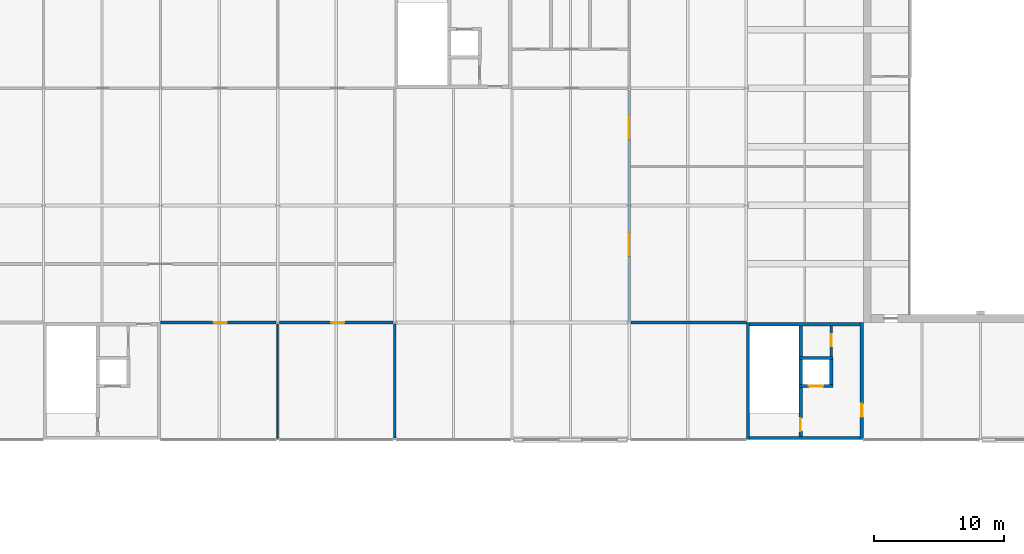
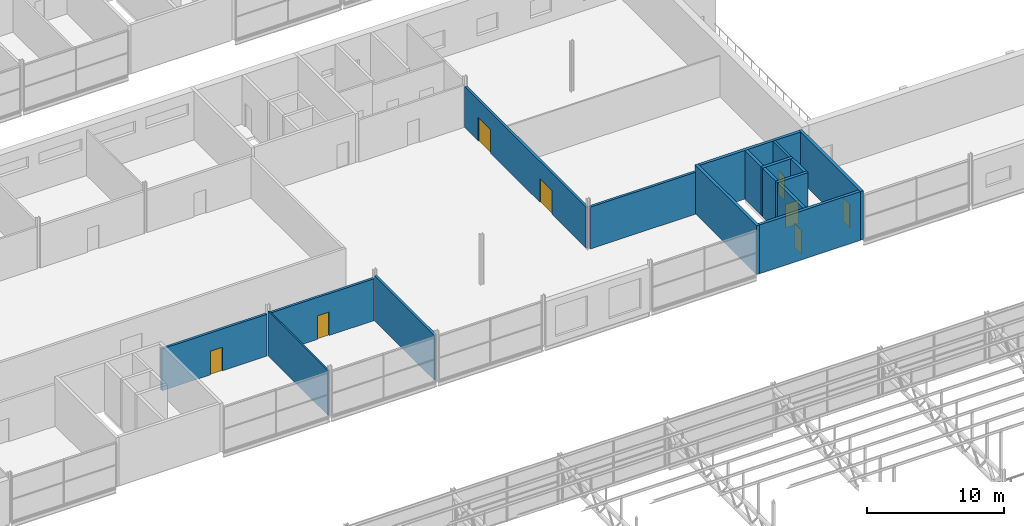
# One storey, part 117 of 138: 15 walls, 8 doors, 8 openings.
"""IFC4 building model written with IfcOpenShell, lengths in metres."""

from ifc_helpers import new_model, si_unit, direction, frame, frame_2d, origin, place, context, subcontext, project, spatial, rectangle, extrude, material, layer, layer_set, type_object, element, fill, save


model = new_model("IFC4")

# Units and contexts
model_context = context("Model", 3, precision=1e-05, world=origin(), true_north=direction((0.0, 1.0)))
body_context = subcontext(model_context, "Body", "Model", "MODEL_VIEW")
ifc_project = project(units=[si_unit("LENGTHUNIT", "METRE"), si_unit("AREAUNIT", "SQUARE_METRE"), si_unit("VOLUMEUNIT", "CUBIC_METRE"), si_unit("PLANEANGLEUNIT", "RADIAN"), si_unit("MASSUNIT", "GRAM", prefix="KILO")], contexts=[model_context])

# Site, building, storey
site_placement = place(None, origin())
site = spatial("IfcSite", under=ifc_project, at=site_placement, CompositionType="ELEMENT")
building_placement = place(site_placement, origin())
building = spatial("IfcBuilding", under=site, at=building_placement, Name="Corbel Yard City Hall", CompositionType="ELEMENT")
storey_placement = place(building_placement, frame((0.0, 0.0, 10.5)))
storey = spatial("IfcBuildingStorey", under=building, at=storey_placement, Name="L02", CompositionType="ELEMENT", Elevation=10.5)

# Wall
ifc_material_1 = material(Name="Concrete N50 (50 MPa)", Category="concrete")
ifc_layer_1 = layer(ifc_material_1, 0.25)
ifc_layer_set_1 = layer_set([ifc_layer_1], Name="Concrete N50 (50 MPa)")
wall_type_1 = type_object("IfcWallType", Name="Core cell wall 250", PredefinedType="SHEAR", material=ifc_layer_set_1)
wall_1_placement = place(storey_placement, frame((108.125, 45.0, 0.0), z_axis=(0.0, 0.0, 1.0), x_axis=(0.0, 1.0, 0.0)))
element("IfcWall", 1, at=wall_1_placement, inside=storey, type_object=wall_type_1, Name="Core PC-M3 west wall", PredefinedType="SHEAR", context=body_context, shape_type="SweptSolid", body=[
    extrude(rectangle(XDim=9.0, YDim=0.25, at=frame_2d((4.5, 0.0))), origin(), (0.0, 0.0, 1.0), 4.35009765625),
])

# Wall, opening, door
wall_2_placement = place(storey_placement, frame((116.875, 45.0, 0.0), z_axis=(0.0, 0.0, 1.0), x_axis=(0.0, 1.0, 0.0)))
wall_2 = element("IfcWall", 2, at=wall_2_placement, inside=storey, type_object=wall_type_1, Name="Core PC-M3 east wall", PredefinedType="SHEAR", context=body_context, shape_type="SweptSolid", body=[
    extrude(rectangle(XDim=9.0, YDim=0.25, at=frame_2d((4.5, 0.0))), origin(), (0.0, 0.0, 1.0), 4.35009765625),
])
opening_1_placement = place(wall_2_placement, frame((1.75, 0.0, 0.0)))
opening_1 = element("IfcOpeningElement", 3, at=opening_1_placement, cuts=wall_2, Name="Opening L02-085", PredefinedType="OPENING", context=body_context, shape_type="SweptSolid", body=[
    extrude(rectangle(XDim=1.0, YDim=2.10009765625, at=frame_2d((0.5, 1.050048828125))), frame((0.0, 0.135009765625, 0.0), z_axis=(0.0, -1.0, 0.0), x_axis=(1.0, 0.0, 0.0)), (0.0, 0.0, 1.0), 0.27001953125),
])
ifc_material_2 = material(Name="Steel Grade G250", Category="steel")
door_type_1 = type_object("IfcDoorType", Name="FS1", OperationType="SINGLE_SWING_LEFT", PredefinedType="DOOR", material=ifc_material_2)
door_1_placement = place(opening_1_placement, origin())
door_1 = element("IfcDoor", 4, at=door_1_placement, inside=storey, type_object=door_type_1, Name="Door Lift Lobby", OperationType="SINGLE_SWING_LEFT", OverallHeight=2.10009765625, OverallWidth=1.0, PredefinedType="DOOR", context=body_context, shape_type="SweptSolid", body=[
    extrude(rectangle(XDim=1.0, YDim=2.10009765625, at=frame_2d((0.5, 1.050048828125))), frame((0.0, 0.02490234375, 0.0), z_axis=(0.0, -1.0, 0.0), x_axis=(1.0, 0.0, 0.0)), (0.0, 0.0, 1.0), 0.050048828125),
])
fill(opening_1, door_1)

# Walls
for number, where, z_axis, x_axis, name in (
    (5, (108.25, 45.125, 0.0), (0.0, 0.0, 1.0), (1.0, 0.0, 0.0), "Core PC-M3 south wall"),
    (6, (108.25, 53.875, 0.0), (0.0, 0.0, 1.0), (1.0, 0.0, 0.0), "Core PC-M3 north wall"),
):
    element("IfcWall", number, at=place(storey_placement, frame(where, z_axis=z_axis, x_axis=x_axis)), inside=storey, type_object=wall_type_1, Name=name, PredefinedType="SHEAR", context=body_context, shape_type="SweptSolid", body=[
        extrude(rectangle(XDim=8.5, YDim=0.25, at=frame_2d((4.25, 0.0))), origin(), (0.0, 0.0, 1.0), 4.35009765625),
    ])

# Wall, opening, door
ifc_material_3 = material(Name="Concrete N40 (40 MPa)", Category="concrete")
ifc_layer_2 = layer(ifc_material_3, 0.25)
ifc_layer_set_2 = layer_set([ifc_layer_2], Name="Concrete N40 (40 MPa)")
wall_type_2 = type_object("IfcWallType", Name="IW2", PredefinedType="SOLIDWALL", material=ifc_layer_set_2)
wall_3_placement = place(storey_placement, frame((112.175048828125, 45.25, 0.0), z_axis=(0.0, 0.0, 1.0), x_axis=(0.0, 1.0, 0.0)))
wall_3 = element("IfcWall", 7, at=wall_3_placement, inside=storey, type_object=wall_type_2, Name="Stair enclosure wall", PredefinedType="SOLIDWALL", context=body_context, shape_type="SweptSolid", body=[
    extrude(rectangle(XDim=8.5, YDim=0.25, at=frame_2d((4.25, 0.0))), origin(), (0.0, 0.0, 1.0), 4.35009765625),
])
opening_2_placement = place(wall_3_placement, frame((0.39990234375, 0.0, 0.0)))
opening_2 = element("IfcOpeningElement", 8, at=opening_2_placement, cuts=wall_3, Name="Opening L02-084", PredefinedType="OPENING", context=body_context, shape_type="SweptSolid", body=[
    extrude(rectangle(XDim=1.0, YDim=2.10009765625, at=frame_2d((0.5, 1.050048828125))), frame((0.0, 0.135009765625, 0.0), z_axis=(0.0, -1.0, 0.0), x_axis=(1.0, 0.0, 0.0)), (0.0, 0.0, 1.0), 0.27001953125),
])
door_2_placement = place(opening_2_placement, origin())
door_2 = element("IfcDoor", 9, at=door_2_placement, inside=storey, type_object=door_type_1, Name="Door Exit Stair 10", OperationType="SINGLE_SWING_LEFT", OverallHeight=2.10009765625, OverallWidth=1.0, PredefinedType="DOOR", context=body_context, shape_type="SweptSolid", body=[
    extrude(rectangle(XDim=1.0, YDim=2.10009765625, at=frame_2d((0.5, 1.050048828125))), frame((0.0, 0.02490234375, 0.0), z_axis=(0.0, -1.0, 0.0), x_axis=(1.0, 0.0, 0.0)), (0.0, 0.0, 1.0), 0.050048828125),
])
fill(opening_2, door_2)

wall_4_placement = place(storey_placement, frame((112.050048828125, 49.125, 0.0), z_axis=(0.0, 0.0, 1.0), x_axis=(1.0, 0.0, 0.0)))
wall_4 = element("IfcWall", 10, at=wall_4_placement, inside=storey, type_object=wall_type_2, Name="Lift LP10 shaft wall", PredefinedType="SOLIDWALL", context=body_context, shape_type="SweptSolid", body=[
    extrude(rectangle(XDim=2.599853515625, YDim=0.25, at=frame_2d((1.2998046875, 0.0))), origin(), (0.0, 0.0, 1.0), 4.35009765625),
])
opening_3_placement = place(wall_4_placement, frame((0.75, 0.0, 0.0)))
opening_3 = element("IfcOpeningElement", 11, at=opening_3_placement, cuts=wall_4, Name="Opening L02-050", PredefinedType="OPENING", context=body_context, shape_type="SweptSolid", body=[
    extrude(rectangle(XDim=1.10009765625, YDim=2.10009765625, at=frame_2d((0.550048828125, 1.050048828125))), frame((0.0, 0.135009765625, 0.0), z_axis=(0.0, -1.0, 0.0), x_axis=(1.0, 0.0, 0.0)), (0.0, 0.0, 1.0), 0.27001953125),
])
ifc_material_4 = material(Name="Stainless steel Grade 316", Category="steel")
door_type_2 = type_object("IfcDoorType", Name="LD1", OperationType="DOUBLE_DOOR_SLIDING", PredefinedType="DOOR", material=ifc_material_4)
door_3_placement = place(opening_3_placement, origin())
door_3 = element("IfcDoor", 12, at=door_3_placement, inside=storey, type_object=door_type_2, Name="Lift LP10 landing door", OperationType="DOUBLE_DOOR_SLIDING", OverallHeight=2.10009765625, OverallWidth=1.10009765625, PredefinedType="DOOR", context=body_context, shape_type="SweptSolid", body=[
    extrude(rectangle(XDim=1.10009765625, YDim=2.10009765625, at=frame_2d((0.550048828125, 1.050048828125))), frame((0.0, 0.02490234375, 0.0), z_axis=(0.0, -1.0, 0.0), x_axis=(1.0, 0.0, 0.0)), (0.0, 0.0, 1.0), 0.050048828125),
])
fill(opening_3, door_3)

# Walls
wall_5_placement = place(storey_placement, frame((112.050048828125, 51.27490234375, 0.0), z_axis=(0.0, 0.0, 1.0), x_axis=(1.0, 0.0, 0.0)))
element("IfcWall", 13, at=wall_5_placement, inside=storey, type_object=wall_type_2, Name="Lift LP10 shaft wall", PredefinedType="SOLIDWALL", context=body_context, shape_type="SweptSolid", body=[
    extrude(rectangle(XDim=2.599853515625, YDim=0.25, at=frame_2d((1.2998046875, 0.0))), origin(), (0.0, 0.0, 1.0), 4.35009765625),
])
wall_6_placement = place(storey_placement, frame((114.52490234375, 49.25, 0.0), z_axis=(0.0, 0.0, 1.0), x_axis=(0.0, 1.0, 0.0)))
element("IfcWall", 14, at=wall_6_placement, inside=storey, type_object=wall_type_2, Name="Lift LP10 shaft wall", PredefinedType="SOLIDWALL", context=body_context, shape_type="SweptSolid", body=[
    extrude(rectangle(XDim=1.89990234375, YDim=0.25, at=frame_2d((0.949951171875, 0.0))), origin(), (0.0, 0.0, 1.0), 4.35009765625),
])
ifc_material_5 = material(Name="Gypsum plasterboard", Category="gypsum")
ifc_layer_3 = layer(ifc_material_5, 0.028076171875)
ifc_material_6 = material(Name="Steel Grade G550 (550 MPa yield)", Category="steel")
ifc_layer_4 = layer(ifc_material_6, 0.06396484375)
ifc_layer_5 = layer(ifc_material_5, 0.028076171875)
ifc_layer_set_3 = layer_set([ifc_layer_3, ifc_layer_4, ifc_layer_5], Name="Steel Grade G550 (550 MPa yield)")
wall_type_3 = type_object("IfcWallType", Name="PT1", PredefinedType="PARTITIONING", material=ifc_layer_set_3)
wall_7_placement = place(storey_placement, frame((72.0, 45.126953125, 0.0), z_axis=(0.0, 0.0, 1.0), x_axis=(0.0, 1.0, 0.0)))
element("IfcWall", 15, at=wall_7_placement, inside=storey, type_object=wall_type_3, Name="Partition", PredefinedType="PARTITIONING", context=body_context, shape_type="SweptSolid", body=[
    extrude(rectangle(XDim=8.7431640625, YDim=0.1201171875, at=frame_2d((4.37158203125, 0.0))), origin(), (0.0, 0.0, 1.0), 3.998046875),
])

# Wall, opening, door
ifc_layer_6 = layer(ifc_material_5, 0.031982421875)
ifc_layer_7 = layer(ifc_material_6, 0.135986328125)
ifc_layer_8 = layer(ifc_material_5, 0.031982421875)
ifc_layer_set_4 = layer_set([ifc_layer_6, ifc_layer_7, ifc_layer_8], Name="Steel Grade G550 (550 MPa yield)")
wall_type_4 = type_object("IfcWallType", Name="PT2", PredefinedType="PARTITIONING", material=ifc_layer_set_4)
wall_8_placement = place(storey_placement, frame((63.0, 54.0, 0.0), z_axis=(0.0, 0.0, 1.0), x_axis=(1.0, 0.0, 0.0)))
wall_8 = element("IfcWall", 16, at=wall_8_placement, inside=storey, type_object=wall_type_4, Name="Acoustic wall", PredefinedType="PARTITIONING", context=body_context, shape_type="SweptSolid", body=[
    extrude(rectangle(XDim=8.8701171875, YDim=0.199951171875, at=frame_2d((4.43505859375, 0.0))), origin(), (0.0, 0.0, 1.0), 3.738037109375),
])
opening_4_placement = place(wall_8_placement, frame((4.10009765625, 0.0, 0.0)))
opening_4 = element("IfcOpeningElement", 17, at=opening_4_placement, cuts=wall_8, Name="Opening L02-075", PredefinedType="OPENING", context=body_context, shape_type="SweptSolid", body=[
    extrude(rectangle(XDim=1.0, YDim=2.10009765625, at=frame_2d((0.5, 1.050048828125))), frame((0.0, 0.10986328125, 0.0), z_axis=(0.0, -1.0, 0.0), x_axis=(1.0, 0.0, 0.0)), (0.0, 0.0, 1.0), 0.219970703125),
])
ifc_material_7 = material(Name="Timber", Category="wood")
door_type_3 = type_object("IfcDoorType", Name="D1", OperationType="SINGLE_SWING_LEFT", PredefinedType="DOOR", material=ifc_material_7)
door_4_placement = place(opening_4_placement, frame((1.0, 0.0, 0.0), z_axis=(0.0, 0.0, 1.0), x_axis=(-1.0, 0.0, 0.0)))
door_4 = element("IfcDoor", 18, at=door_4_placement, inside=storey, type_object=door_type_3, Name="Door Quiet Study Room 1", OperationType="SINGLE_SWING_LEFT", OverallHeight=2.10009765625, OverallWidth=1.0, PredefinedType="DOOR", context=body_context, shape_type="SweptSolid", body=[
    extrude(rectangle(XDim=1.0, YDim=2.10009765625, at=frame_2d((0.5, 1.050048828125))), frame((0.0, 0.02490234375, 0.0), z_axis=(0.0, -1.0, 0.0), x_axis=(1.0, 0.0, 0.0)), (0.0, 0.0, 1.0), 0.050048828125),
])
fill(opening_4, door_4)

wall_9_placement = place(storey_placement, frame((72.1298828125, 54.0, 0.0), z_axis=(0.0, 0.0, 1.0), x_axis=(1.0, 0.0, 0.0)))
wall_9 = element("IfcWall", 19, at=wall_9_placement, inside=storey, type_object=wall_type_4, Name="Acoustic wall", PredefinedType="PARTITIONING", context=body_context, shape_type="SweptSolid", body=[
    extrude(rectangle(XDim=8.740234375, YDim=0.199951171875, at=frame_2d((4.3701171875, 0.0))), origin(), (0.0, 0.0, 1.0), 3.738037109375),
])
opening_5_placement = place(wall_9_placement, frame((3.969970703125, 0.0, 0.0)))
opening_5 = element("IfcOpeningElement", 20, at=opening_5_placement, cuts=wall_9, Name="Opening L02-076", PredefinedType="OPENING", context=body_context, shape_type="SweptSolid", body=[
    extrude(rectangle(XDim=1.0, YDim=2.10009765625, at=frame_2d((0.5, 1.050048828125))), frame((0.0, 0.10986328125, 0.0), z_axis=(0.0, -1.0, 0.0), x_axis=(1.0, 0.0, 0.0)), (0.0, 0.0, 1.0), 0.219970703125),
])
door_5_placement = place(opening_5_placement, frame((1.0, 0.0, 0.0), z_axis=(0.0, 0.0, 1.0), x_axis=(-1.0, 0.0, 0.0)))
door_5 = element("IfcDoor", 21, at=door_5_placement, inside=storey, type_object=door_type_3, Name="Door Quiet Study Room 2", OperationType="SINGLE_SWING_LEFT", OverallHeight=2.10009765625, OverallWidth=1.0, PredefinedType="DOOR", context=body_context, shape_type="SweptSolid", body=[
    extrude(rectangle(XDim=1.0, YDim=2.10009765625, at=frame_2d((0.5, 1.050048828125))), frame((0.0, 0.02490234375, 0.0), z_axis=(0.0, -1.0, 0.0), x_axis=(1.0, 0.0, 0.0)), (0.0, 0.0, 1.0), 0.050048828125),
])
fill(opening_5, door_5)

# Walls
wall_10_placement = place(storey_placement, frame((99.1298828125, 54.0, 0.0), z_axis=(0.0, 0.0, 1.0), x_axis=(1.0, 0.0, 0.0)))
element("IfcWall", 22, at=wall_10_placement, inside=storey, type_object=wall_type_4, Name="Acoustic wall", PredefinedType="PARTITIONING", context=body_context, shape_type="SweptSolid", body=[
    extrude(rectangle(XDim=8.8701171875, YDim=0.199951171875, at=frame_2d((4.43505859375, 0.0))), origin(), (0.0, 0.0, 1.0), 3.738037109375),
])
wall_11_placement = place(storey_placement, frame((81.0, 45.126953125, 0.0), z_axis=(0.0, 0.0, 1.0), x_axis=(0.0, 1.0, 0.0)))
element("IfcWall", 23, at=wall_11_placement, inside=storey, type_object=wall_type_4, Name="Acoustic wall", PredefinedType="PARTITIONING", context=body_context, shape_type="SweptSolid", body=[
    extrude(rectangle(XDim=8.7431640625, YDim=0.199951171875, at=frame_2d((4.37158203125, 0.0))), origin(), (0.0, 0.0, 1.0), 3.998046875),
])

# Wall, openings, doors
wall_12_placement = place(storey_placement, frame((99.0, 54.1298828125, 0.0), z_axis=(0.0, 0.0, 1.0), x_axis=(0.0, 1.0, 0.0)))
wall_12 = element("IfcWall", 24, at=wall_12_placement, inside=storey, type_object=wall_type_4, Name="Acoustic wall", PredefinedType="PARTITIONING", context=body_context, shape_type="SweptSolid", body=[
    extrude(rectangle(XDim=17.740234375, YDim=0.199951171875, at=frame_2d((8.8701171875, 0.0))), origin(), (0.0, 0.0, 1.0), 3.64990234375),
])
opening_6_placement = place(wall_12_placement, frame((4.969970703125, 0.0, 0.0)))
opening_6 = element("IfcOpeningElement", 25, at=opening_6_placement, cuts=wall_12, Name="Opening L02-090", PredefinedType="OPENING", context=body_context, shape_type="SweptSolid", body=[
    extrude(rectangle(XDim=1.800048828125, YDim=2.10009765625, at=frame_2d((0.89990234375, 1.050048828125))), frame((0.0, 0.10986328125, 0.0), z_axis=(0.0, -1.0, 0.0), x_axis=(1.0, 0.0, 0.0)), (0.0, 0.0, 1.0), 0.219970703125),
])
opening_7_placement = place(wall_12_placement, frame((13.969970703125, 0.0, 0.0)))
opening_7 = element("IfcOpeningElement", 26, at=opening_7_placement, cuts=wall_12, Name="Opening L02-091", PredefinedType="OPENING", context=body_context, shape_type="SweptSolid", body=[
    extrude(rectangle(XDim=1.800048828125, YDim=2.10009765625, at=frame_2d((0.89990234375, 1.050048828125))), frame((0.0, 0.10986328125, 0.0), z_axis=(0.0, -1.0, 0.0), x_axis=(1.0, 0.0, 0.0)), (0.0, 0.0, 1.0), 0.219970703125),
])
door_type_4 = type_object("IfcDoorType", Name="D3", OperationType="DOUBLE_DOOR_SINGLE_SWING", PredefinedType="DOOR", material=ifc_material_7)
door_6_placement = place(opening_6_placement, origin())
door_6 = element("IfcDoor", 27, at=door_6_placement, inside=storey, type_object=door_type_4, Name="Door Lord Mayor's Lounge", OperationType="DOUBLE_DOOR_SINGLE_SWING", OverallHeight=2.10009765625, OverallWidth=1.800048828125, PredefinedType="DOOR", context=body_context, shape_type="SweptSolid", body=[
    extrude(rectangle(XDim=1.800048828125, YDim=2.10009765625, at=frame_2d((0.89990234375, 1.050048828125))), frame((0.0, 0.02490234375, 0.0), z_axis=(0.0, -1.0, 0.0), x_axis=(1.0, 0.0, 0.0)), (0.0, 0.0, 1.0), 0.050048828125),
])
fill(opening_6, door_6)
door_7_placement = place(opening_7_placement, origin())
door_7 = element("IfcDoor", 28, at=door_7_placement, inside=storey, type_object=door_type_4, Name="Door Function Room", OperationType="DOUBLE_DOOR_SINGLE_SWING", OverallHeight=2.10009765625, OverallWidth=1.800048828125, PredefinedType="DOOR", context=body_context, shape_type="SweptSolid", body=[
    extrude(rectangle(XDim=1.800048828125, YDim=2.10009765625, at=frame_2d((0.89990234375, 1.050048828125))), frame((0.0, 0.02490234375, 0.0), z_axis=(0.0, -1.0, 0.0), x_axis=(1.0, 0.0, 0.0)), (0.0, 0.0, 1.0), 0.050048828125),
])
fill(opening_7, door_7)

# Wall, opening, door
ifc_material_8 = material(Name="Concrete block", Category="concrete")
ifc_layer_9 = layer(ifc_material_8, 0.18994140625)
ifc_layer_set_5 = layer_set([ifc_layer_9], Name="Concrete block")
wall_type_5 = type_object("IfcWallType", Name="PT4", PredefinedType="PARTITIONING", material=ifc_layer_set_5)
wall_13_placement = place(storey_placement, frame((114.52490234375, 51.39990234375, 0.0), z_axis=(0.0, 0.0, 1.0), x_axis=(0.0, 1.0, 0.0)))
wall_13 = element("IfcWall", 29, at=wall_13_placement, inside=storey, type_object=wall_type_5, Name="Fire-resisting block wall", PredefinedType="PARTITIONING", context=body_context, shape_type="SweptSolid", body=[
    extrude(rectangle(XDim=2.35009765625, YDim=0.18994140625, at=frame_2d((1.175048828125, 0.0))), origin(), (0.0, 0.0, 1.0), 4.35009765625),
])
opening_8_placement = place(wall_13_placement, frame((0.777587890625, 0.0, 0.0)))
opening_8 = element("IfcOpeningElement", 30, at=opening_8_placement, cuts=wall_13, Name="Opening L02-086", PredefinedType="OPENING", context=body_context, shape_type="SweptSolid", body=[
    extrude(rectangle(XDim=0.919921875, YDim=2.10009765625, at=frame_2d((0.4599609375, 1.050048828125))), frame((0.0, 0.10498046875, 0.0), z_axis=(0.0, -1.0, 0.0), x_axis=(1.0, 0.0, 0.0)), (0.0, 0.0, 1.0), 0.2099609375),
])
door_type_5 = type_object("IfcDoorType", Name="FS5", OperationType="SINGLE_SWING_RIGHT", PredefinedType="DOOR", material=ifc_material_2)
door_8_placement = place(opening_8_placement, origin())
door_8 = element("IfcDoor", 31, at=door_8_placement, inside=storey, type_object=door_type_5, Name="Door Service Riser", OperationType="SINGLE_SWING_RIGHT", OverallHeight=2.10009765625, OverallWidth=0.919921875, PredefinedType="DOOR", context=body_context, shape_type="SweptSolid", body=[
    extrude(rectangle(XDim=0.919921875, YDim=2.10009765625, at=frame_2d((0.4599609375, 1.050048828125))), frame((0.0, 0.02490234375, 0.0), z_axis=(0.0, -1.0, 0.0), x_axis=(1.0, 0.0, 0.0)), (0.0, 0.0, 1.0), 0.050048828125),
])
fill(opening_8, door_8)

save(model, "model.ifc")
